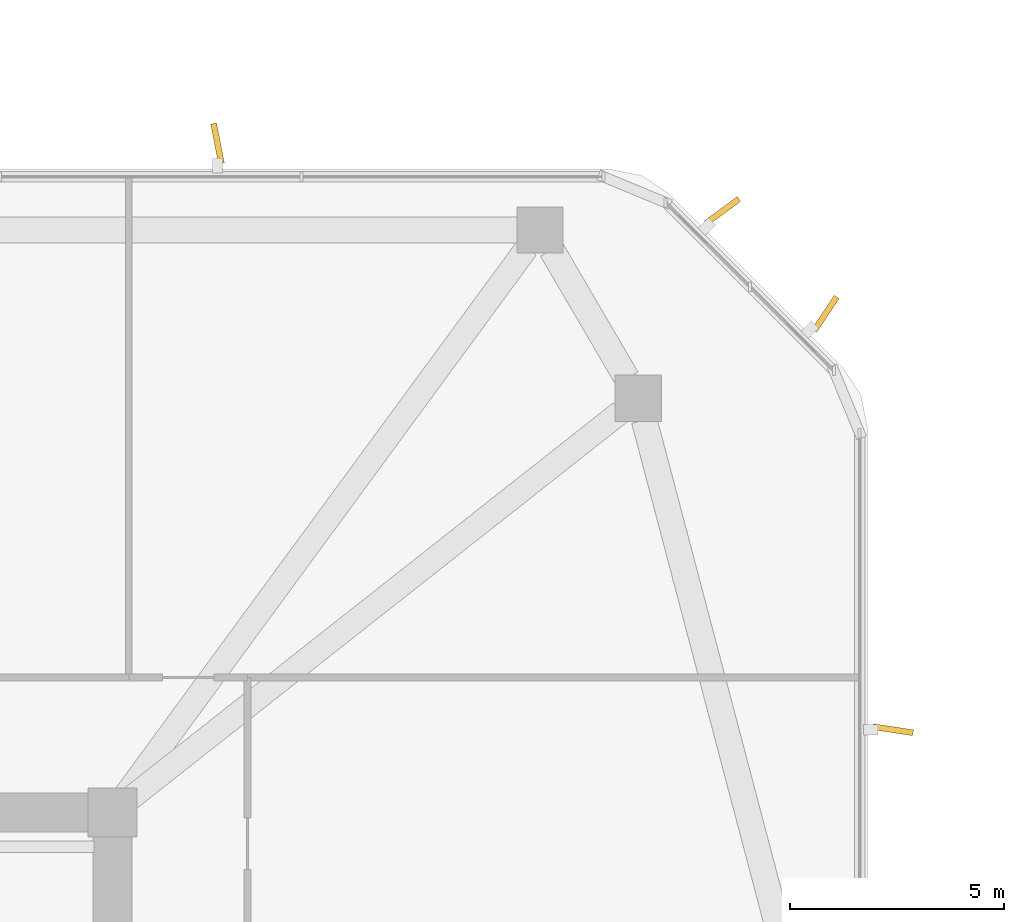
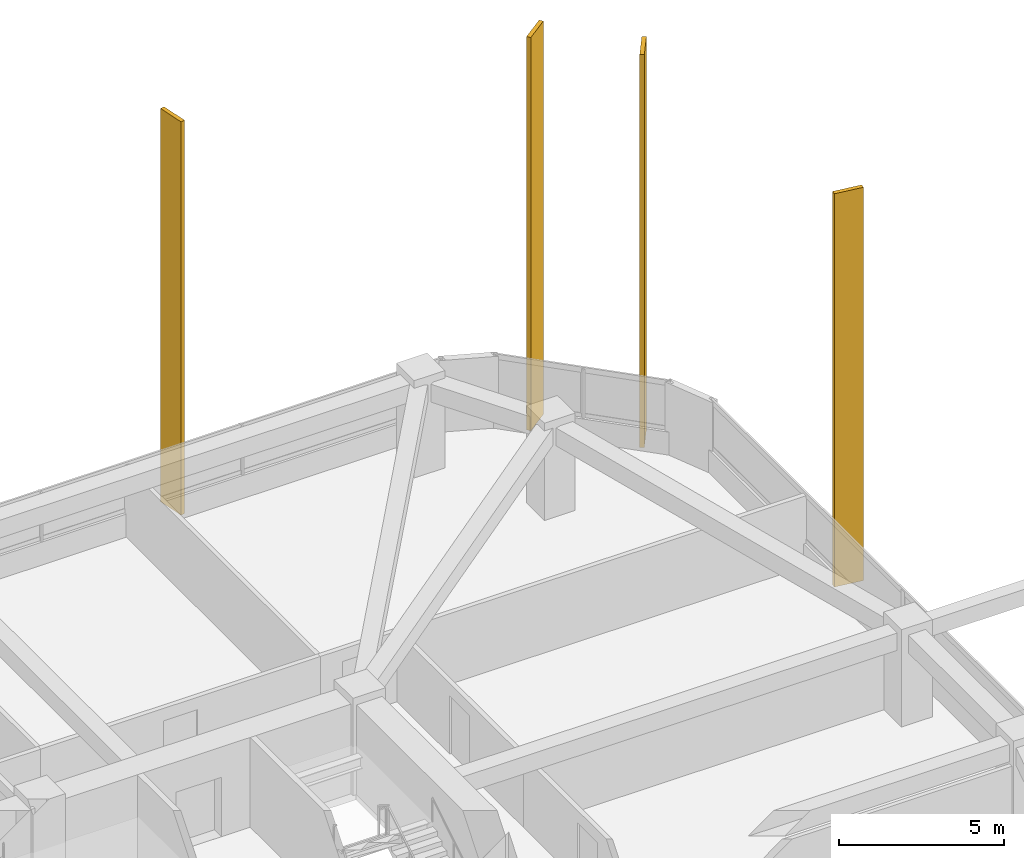
# One storey, part 17 of 17: 4 shading devices.
"""IFC4 building model written with IfcOpenShell, lengths in metres."""

from ifc_helpers import new_model, si_unit, derived_unit, direction, frame, origin, origin_2d, place, context, subcontext, project, spatial, rectangle, extrude, material, type_object, element, save


model = new_model("IFC4")

# Units and contexts
model_context = context("Model", 3, precision=1e-05, world=origin(), true_north=direction((0.0, 1.0)))
body_context = subcontext(model_context, "Body", "Model", "MODEL_VIEW")
ifc_project = project(units=[si_unit("LENGTHUNIT", "METRE"), si_unit("AREAUNIT", "SQUARE_METRE"), si_unit("VOLUMEUNIT", "CUBIC_METRE"), si_unit("PLANEANGLEUNIT", "RADIAN"), si_unit("MASSUNIT", "GRAM", prefix="KILO"), derived_unit("THERMALTRANSMITTANCEUNIT", [(si_unit("POWERUNIT", "WATT"), 1), (si_unit("LENGTHUNIT", "METRE"), -2), (si_unit("THERMODYNAMICTEMPERATUREUNIT", "KELVIN"), -1)])], contexts=[model_context])

# Site, building, storey
site_placement = place(None, origin())
site = spatial("IfcSite", under=ifc_project, at=site_placement, CompositionType="ELEMENT")
building_placement = place(site_placement, origin())
building = spatial("IfcBuilding", under=site, at=building_placement, Name="Koralith Skygarden Medical Center", CompositionType="ELEMENT")
storey_placement = place(building_placement, frame((0.0, 0.0, 52.739990234375)))
storey = spatial("IfcBuildingStorey", under=building, at=storey_placement, Name="L13", CompositionType="ELEMENT", Elevation=52.739990234375)

# Shading devices
ifc_material = material(Name="Aluminium 6063-T6", Category="aluminium")
shading_device_type = type_object("IfcShadingDeviceType", Name="Limestone-Clad Solar Storm Fin 950", PredefinedType="USERDEFINED", material=ifc_material)
for number, where, z_axis, x_axis, name in (
    (1, (66.39501953125, 36.429931640625, -0.2001953125), (0.0, 0.0, 1.0), (0.988904655129, -0.14855161751, 0.0), "L13 E Harmonic Solar Storm Fin 2"),
    (2, (64.820068359375, 46.1220703125, -0.2001953125), (0.0, 0.0, 1.0), (0.557976870385, 0.829856500918, 0.0), "L13 NE Harmonic Solar Storm Fin 1"),
    (3, (62.422119140625, 48.52001953125, -0.2001953125), (0.0, 0.0, 1.0), (0.804303043686, 0.594219331491, 0.0), "L13 NE Harmonic Solar Storm Fin 2"),
    (4, (50.64990234375, 50.094970703125, -0.2001953125), (0.0, 0.0, 1.0), (-0.192247930416, 0.981346388005, 0.0), "L13 N Harmonic Solar Storm Fin 1"),
):
    element("IfcShadingDevice", number, at=place(storey_placement, frame(where, z_axis=z_axis, x_axis=x_axis)), inside=storey, type_object=shading_device_type, Name=name, ObjectType="SOLAR FIN", PredefinedType="USERDEFINED", context=body_context, shape_type="SweptSolid", body=[
        extrude(rectangle(XDim=0.949951171875, YDim=0.139892578125, at=origin_2d()), origin(), (0.0, 0.0, 1.0), 14.550048828125),
    ])

save(model, "model.ifc")
